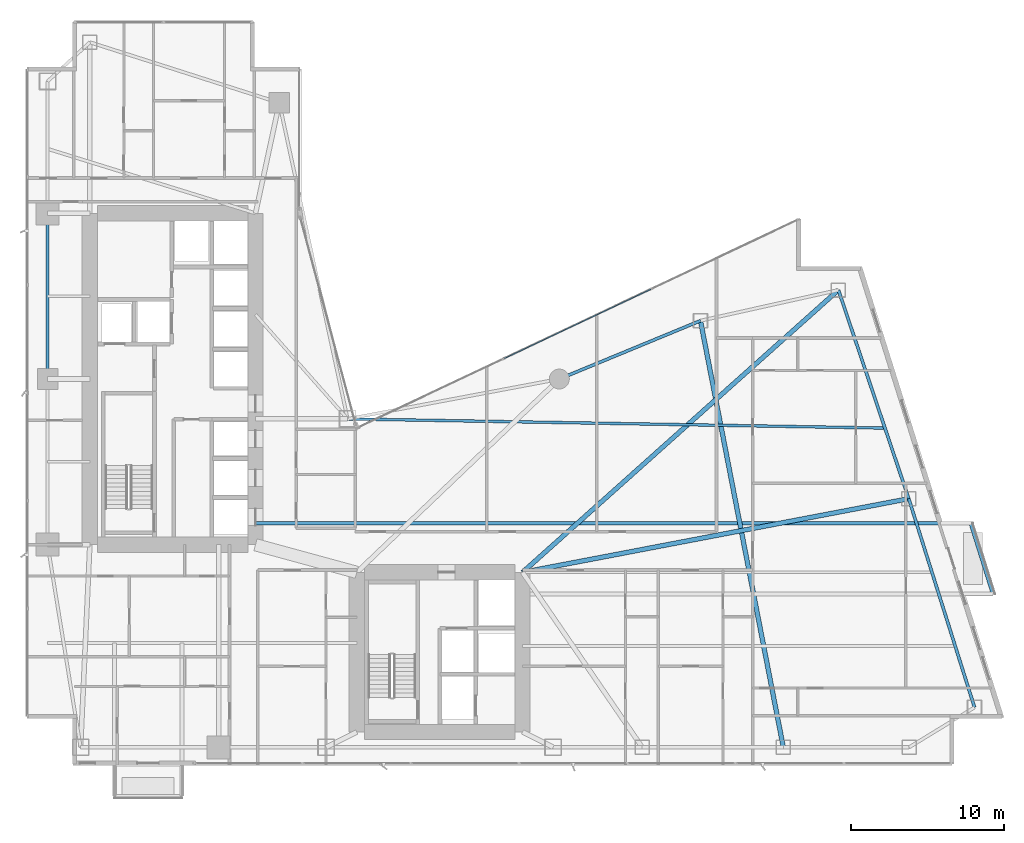
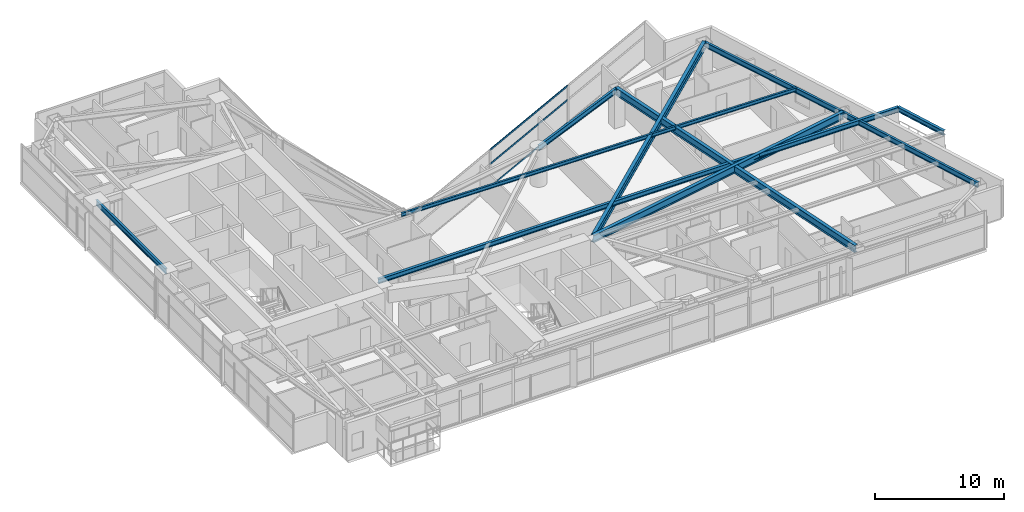
# One storey, part 15 of 29: 10 beams, 3 members, 1 element without a shape of its own.
"""IFC4 building model written with IfcOpenShell, lengths in metres."""

import ifcopenshell
import ifcopenshell.guid

model = None  # the IFC model being written
_history = None  # IfcOwnerHistory: only IFC2X3 demands one
_inside = {}  # id of a spatial element -> (the spatial element, [elements in it])
_under = {}  # id of a project, library or spatial element -> (it, [spatial elements below it])
_declared = {}  # id of a project -> (the project, [libraries it declares])
_typed = {}  # id of a type object -> (the type object, [elements of that type])
_made_of = {}  # id of a material, layer set ... -> (it, [elements and type objects made of it])


def new_model(schema):
    """Start an empty IFC model of exactly this schema.

    Asked for "IFC4X3", IfcOpenShell would pick the latest addendum, in which some entities
    have other attributes; the version numbers below select the first issue.
    IFC2X3 requires an IfcOwnerHistory on every rooted entity: one is made here for all.
    """
    global model, _history
    if schema == "IFC4X3":
        model = ifcopenshell.file(schema_version=(4, 3, 0, 0))
    else:
        model = ifcopenshell.file(schema=schema)
    _inside.clear()
    _under.clear()
    _declared.clear()
    _typed.clear()
    _made_of.clear()
    _history = None
    if model.schema == "IFC2X3":
        org = make("IfcOrganization", Name="unknown")
        user = make(
            "IfcPersonAndOrganization",
            ThePerson=make("IfcPerson", FamilyName="unknown"),
            TheOrganization=org,
        )
        app = make(
            "IfcApplication",
            ApplicationDeveloper=org,
            Version="unknown",
            ApplicationFullName="unknown",
            ApplicationIdentifier="unknown",
        )
        _history = make(
            "IfcOwnerHistory",
            OwningUser=user,
            OwningApplication=app,
            ChangeAction="ADDED",
            CreationDate=0,
        )
    return model


def make(cls, **values):
    """One entity of the class cls with the attributes given. An attribute that is None is left unset."""
    return model.create_entity(
        cls, **{name: value for name, value in values.items() if value is not None}
    )


def rooted(cls, **values):
    """An entity with a GlobalId (a new one), such as an element, a storey or a relation."""
    return make(cls, GlobalId=ifcopenshell.guid.new(), OwnerHistory=_history, **values)


def si_unit(unit_type, name, prefix=None):
    """IfcSIUnit, for example si_unit("LENGTHUNIT", "METRE", prefix="MILLI")."""
    return make("IfcSIUnit", UnitType=unit_type, Prefix=prefix, Name=name)


def assignment(units):
    """IfcUnitAssignment: the units of a project."""
    return None if units is None else make("IfcUnitAssignment", Units=units)


def point(xyz):
    """IfcCartesianPoint."""
    return None if xyz is None else make("IfcCartesianPoint", Coordinates=xyz)


def direction(xyz):
    """IfcDirection."""
    return None if xyz is None else make("IfcDirection", DirectionRatios=xyz)


def frame(location, z_axis=None, x_axis=None):
    """IfcAxis2Placement3D, a coordinate frame: its origin and axes. An axis left out is left unset."""
    return make(
        "IfcAxis2Placement3D",
        Location=point(location),
        Axis=direction(z_axis),
        RefDirection=direction(x_axis),
    )


def frame_2d(location, x_axis=None):
    """IfcAxis2Placement2D, a coordinate frame in the plane: its origin and x axis."""
    return make(
        "IfcAxis2Placement2D", Location=point(location), RefDirection=direction(x_axis)
    )


def origin():
    """The frame at (0, 0, 0) with its axes left unset."""
    return frame((0.0, 0.0, 0.0))


def origin_2d():
    """The frame at (0, 0) in the plane with its x axis left unset."""
    return frame_2d((0.0, 0.0))


def place(relative_to, where):
    """IfcLocalPlacement: puts the frame where relative to a parent placement (None: the world)."""
    return make(
        "IfcLocalPlacement", PlacementRelTo=relative_to, RelativePlacement=where
    )


def context(
    kind, dimensions, precision=None, world=None, true_north=None, identifier=None
):
    """IfcGeometricRepresentationContext, for example the 3D "Model" context."""
    return make(
        "IfcGeometricRepresentationContext",
        ContextIdentifier=identifier,
        ContextType=kind,
        CoordinateSpaceDimension=dimensions,
        Precision=precision,
        WorldCoordinateSystem=world,
        TrueNorth=true_north,
    )


def subcontext(parent, identifier, kind, view, scale=None):
    """IfcGeometricRepresentationSubContext, for example "Body" below "Model"."""
    return make(
        "IfcGeometricRepresentationSubContext",
        ContextIdentifier=identifier,
        ContextType=kind,
        ParentContext=parent,
        TargetScale=scale,
        TargetView=view,
    )


def project(units=None, contexts=None):
    """IfcProject with its units and contexts."""
    return rooted(
        "IfcProject",
        Name="project",
        RepresentationContexts=contexts,
        UnitsInContext=assignment(units),
    )


def spatial(cls, under=None, at=None, **own):
    """A site, building, storey or space (cls), placed at a placement, below another one or the project."""
    s = rooted(cls, ObjectPlacement=at, **own)
    if under is not None:
        _under.setdefault(under.id(), (under, []))[1].append(s)
    return s


def profile(cls, at=None, kind="AREA", **sizes):
    """A parametric profile (cls). Its sizes go by their IFC names, for example OverallWidth=200.0."""
    return make(cls, ProfileType=kind, Position=at, **sizes)


def hollow_rectangle(**sizes):
    """IfcRectangleHollowProfileDef."""
    return profile("IfcRectangleHollowProfileDef", **sizes)


def i_section(**sizes):
    """IfcIShapeProfileDef."""
    return profile("IfcIShapeProfileDef", **sizes)


def extrude(swept, where, along, depth):
    """IfcExtrudedAreaSolid: the profile swept, set in the frame where, extruded along a direction by depth."""
    return make(
        "IfcExtrudedAreaSolid",
        SweptArea=swept,
        Position=where,
        ExtrudedDirection=direction(along),
        Depth=depth,
    )


def shape(context_of_items, identifier, shape_type, items):
    """IfcShapeRepresentation: the items that make up one representation, for example the "Body"."""
    return make(
        "IfcShapeRepresentation",
        ContextOfItems=context_of_items,
        RepresentationIdentifier=identifier,
        RepresentationType=shape_type,
        Items=items,
    )


def material(Name=None, Category=None):
    """IfcMaterial."""
    return make("IfcMaterial", Name=Name, Category=Category)


def layer(
    of_material, thickness, ventilated=None, Name=None, Category=None, Priority=None
):
    """IfcMaterialLayer: one layer of a wall or slab, of a material (None: an air gap)."""
    return make(
        "IfcMaterialLayer",
        Material=of_material,
        LayerThickness=thickness,
        IsVentilated=ventilated,
        Name=Name,
        Category=Category,
        Priority=Priority,
    )


def layer_set(layers, Name=None):
    """IfcMaterialLayerSet."""
    return make("IfcMaterialLayerSet", MaterialLayers=layers, LayerSetName=Name)


def material_profile(
    of_material, cross_section, Name=None, Category=None, Priority=None
):
    """IfcMaterialProfile: a cross section and its material."""
    return make(
        "IfcMaterialProfile",
        Name=Name,
        Material=of_material,
        Profile=cross_section,
        Priority=Priority,
        Category=Category,
    )


def profile_set(profiles, Name=None, composite=None):
    """IfcMaterialProfileSet."""
    return make(
        "IfcMaterialProfileSet",
        Name=Name,
        MaterialProfiles=profiles,
        CompositeProfile=composite,
    )


def made_of(thing, what):
    """Note that an element or type object is made of a material, layer set ...; save() writes the relation."""
    if what is not None:
        _made_of.setdefault(what.id(), (what, []))[1].append(thing)
    return thing


def type_object(cls, material=None, **own):
    """A type object (cls), such as IfcWallType, which elements share."""
    return made_of(rooted(cls, **own), material)


def element(
    cls,
    number,
    at=None,
    inside=None,
    cuts=None,
    type_object=None,
    material=None,
    context=None,
    identifier="Body",
    shape_type=None,
    held_by="IfcProductDefinitionShape",
    body=None,
    shapes=None,
    **own,
):
    """One element of the class cls, such as IfcWall. Its Tag is "e" and its number.

    at: its placement. inside: the storey or other place that contains it. cuts: it is an
    opening in that element (IfcRelVoidsElement). A single representation is given by context,
    identifier, shape_type and body (its items); several are given by shapes. held_by: the class
    of the entity that holds the representations. save() writes the other relations.
    """
    e = rooted(cls, Tag="e%d" % number, ObjectPlacement=at, **own)
    if body is not None:
        shapes = [shape(context, identifier, shape_type, body)]
    if shapes is not None:
        e.Representation = make(held_by, Representations=shapes)
    if inside is not None:
        _inside.setdefault(inside.id(), (inside, []))[1].append(e)
    if cuts is not None:
        rooted(
            "IfcRelVoidsElement", RelatingBuildingElement=cuts, RelatedOpeningElement=e
        )
    if type_object is not None:
        _typed.setdefault(type_object.id(), (type_object, []))[1].append(e)
    return made_of(e, material)


def aggregate(whole, parts):
    """IfcRelAggregates: a whole, such as a stair, and the parts it consists of."""
    return rooted("IfcRelAggregates", RelatingObject=whole, RelatedObjects=parts)


def save(model, path):
    """Write the relations noted so far, then the file.

    IfcRelAggregates (storeys below a building ...), IfcRelContainedInSpatialStructure (elements
    in a storey), IfcRelDefinesByType, IfcRelAssociatesMaterial and IfcRelDeclares: one each for
    every whole, place, type object, material and project.
    """
    for whole, parts in _under.values():
        aggregate(whole, parts)
    for where, things in _inside.values():
        rooted(
            "IfcRelContainedInSpatialStructure",
            RelatedElements=things,
            RelatingStructure=where,
        )
    for kind, things in _typed.values():
        rooted("IfcRelDefinesByType", RelatedObjects=things, RelatingType=kind)
    for what, things in _made_of.values():
        rooted("IfcRelAssociatesMaterial", RelatedObjects=things, RelatingMaterial=what)
    for by, libraries in _declared.values():
        rooted("IfcRelDeclares", RelatingContext=by, RelatedDefinitions=libraries)
    model.write(path)


model = new_model("IFC4")

# Units and contexts
model_context = context("Model", 3, precision=1e-05, world=origin(), true_north=direction((0.0, 1.0)))
body_context = subcontext(model_context, "Body", "Model", "MODEL_VIEW")
ifc_project = project(units=[si_unit("LENGTHUNIT", "METRE"), si_unit("AREAUNIT", "SQUARE_METRE"), si_unit("VOLUMEUNIT", "CUBIC_METRE"), si_unit("PLANEANGLEUNIT", "RADIAN"), si_unit("MASSUNIT", "GRAM", prefix="KILO")], contexts=[model_context])

# Site, building, storey
site_placement = place(None, origin())
site = spatial("IfcSite", under=ifc_project, at=site_placement, CompositionType="ELEMENT")
building_placement = place(site_placement, origin())
building = spatial("IfcBuilding", under=site, at=building_placement, Name="Calvorn Quay Hotel", CompositionType="ELEMENT")
storey_placement = place(building_placement, frame((0.0, 0.0, 34.60009765625)))
storey = spatial("IfcBuildingStorey", under=building, at=storey_placement, Name="L07", CompositionType="ELEMENT", Elevation=34.60009765625)

# Beams
ifc_material_1 = material(Name="Steel Q355B", Category="steel")
ifc_material_profile_1 = material_profile(ifc_material_1, i_section(OverallWidth=0.25, OverallDepth=0.449951171875, WebThickness=0.011962890625, FlangeThickness=0.01611328125, FilletRadius=0.01611328125, at=origin_2d()), Name="HN450x250x12x16")
ifc_profile_set_1 = profile_set([ifc_material_profile_1], Name="Steel Q355B")
beam_type_1 = type_object("IfcBeamType", Name="BM-CANT-BALC", PredefinedType="BEAM", material=ifc_profile_set_1)
beam_1_placement = place(storey_placement, frame((15.0, 18.199951171875, 3.31494140625), z_axis=(1.0, 0.0, 0.0), x_axis=(0.0, 1.0, 0.0)))
element("IfcBeam", 1, at=beam_1_placement, inside=storey, type_object=beam_type_1, Name="Cantilever Balcony Beam BCB-L08-1B", PredefinedType="BEAM", context=body_context, shape_type="SweptSolid", body=[
    extrude(i_section(OverallWidth=0.25, OverallDepth=0.449951171875, WebThickness=0.011962890625, FlangeThickness=0.01611328125, FilletRadius=0.01611328125, at=origin_2d()), origin(), (0.0, 0.0, 1.0), 46.6201171875),
])
beam_2_placement = place(storey_placement, frame((63.069091796875, 13.60009765625, 3.31494140625), z_axis=(-0.300450487966, 0.953797412599, 0.0), x_axis=(-0.953797412599, -0.300450487966, 0.0)))
element("IfcBeam", 2, at=beam_2_placement, inside=storey, type_object=beam_type_1, Name="Beam BCBO-L08-1", PredefinedType="BEAM", context=body_context, shape_type="SweptSolid", body=[
    extrude(i_section(OverallWidth=0.25, OverallDepth=0.449951171875, WebThickness=0.011962890625, FlangeThickness=0.01611328125, FilletRadius=0.01611328125, at=origin_2d()), origin(), (0.0, 0.0, 1.0), 4.82275390625),
])
ifc_material_2 = material(Name="Steel Q390GJC", Category="steel")
ifc_material_profile_2 = material_profile(ifc_material_2, i_section(OverallWidth=0.300048828125, OverallDepth=0.699951171875, WebThickness=0.012939453125, FlangeThickness=0.02392578125, FilletRadius=0.02392578125, at=origin_2d()), Name="HN700x300x13x24")
ifc_profile_set_2 = profile_set([ifc_material_profile_2], Name="Steel Q390GJC")
beam_type_2 = type_object("IfcBeamType", Name="BM-GIRD-MAIN", PredefinedType="BEAM", material=ifc_profile_set_2)
beam_3_placement = place(storey_placement, frame((32.39990234375, 15.0, 3.18994140625), z_axis=(0.982305450614, 0.18728588226, 0.0), x_axis=(-0.18728588226, 0.982305450614, 0.0)))
element("IfcBeam", 3, at=beam_3_placement, inside=storey, type_object=beam_type_2, Name="Beam BG-L07-E2", PredefinedType="BEAM", context=body_context, shape_type="SweptSolid", body=[
    extrude(i_section(OverallWidth=0.300048828125, OverallDepth=0.699951171875, WebThickness=0.012939453125, FlangeThickness=0.02392578125, FilletRadius=0.02392578125, at=origin_2d()), origin(), (0.0, 0.0, 1.0), 25.629638671875),
])
beam_4_placement = place(storey_placement, frame((32.39990234375, 15.0, 3.18994140625), z_axis=(0.745667316004, 0.666318432766, 0.0), x_axis=(-0.666318432766, 0.745667316004, 0.0)))
element("IfcBeam", 4, at=beam_4_placement, inside=storey, type_object=beam_type_2, Name="Beam BG-L07-E3", PredefinedType="BEAM", context=body_context, shape_type="SweptSolid", body=[
    extrude(i_section(OverallWidth=0.300048828125, OverallDepth=0.699951171875, WebThickness=0.012939453125, FlangeThickness=0.02392578125, FilletRadius=0.02392578125, at=origin_2d()), origin(), (0.0, 0.0, 1.0), 27.6142578125),
])
beam_5_placement = place(storey_placement, frame((49.39990234375, 3.60009765625, 3.18994140625), z_axis=(-0.190678596862, 0.981652521363, 0.0), x_axis=(-0.981652521363, -0.190678596862, 0.0)))
element("IfcBeam", 5, at=beam_5_placement, inside=storey, type_object=beam_type_2, Name="Beam BG-L07-E5", PredefinedType="BEAM", context=body_context, shape_type="SweptSolid", body=[
    extrude(i_section(OverallWidth=0.300048828125, OverallDepth=0.699951171875, WebThickness=0.012939453125, FlangeThickness=0.02392578125, FilletRadius=0.02392578125, at=origin_2d()), origin(), (0.0, 0.0, 1.0), 28.3193359375),
])
ifc_material_3 = material(Name="Steel Q355B", Category="steel")
ifc_material_profile_3 = material_profile(ifc_material_3, i_section(OverallWidth=0.175048828125, OverallDepth=0.35009765625, WebThickness=0.007080078125, FlangeThickness=0.010986328125, FilletRadius=0.013916015625, at=origin_2d()), Name="HN350x175x7x11")
ifc_profile_set_3 = profile_set([ifc_material_profile_3], Name="Steel Q355B")
beam_type_3 = type_object("IfcBeamType", Name="BM-JOIST-SEC", PredefinedType="JOIST", material=ifc_profile_set_3)
beam_6_placement = place(storey_placement, frame((21.0, 25.0, 3.364990234375), z_axis=(0.999854105858, -0.017081188436, 0.0), x_axis=(0.017081188436, 0.999854105858, 0.0)))
element("IfcBeam", 6, at=beam_6_placement, inside=storey, type_object=beam_type_3, Name="Beam BJ-L07-E3", PredefinedType="JOIST", context=body_context, shape_type="SweptSolid", body=[
    extrude(i_section(OverallWidth=0.175048828125, OverallDepth=0.35009765625, WebThickness=0.007080078125, FlangeThickness=0.010986328125, FilletRadius=0.013916015625, at=origin_2d()), origin(), (0.0, 0.0, 1.0), 35.132080078125),
])
ifc_material_4 = material(Name="Steel Q355B", Category="steel")
ifc_material_profile_4 = material_profile(ifc_material_4, i_section(OverallWidth=0.199951171875, OverallDepth=0.5, WebThickness=0.010009765625, FlangeThickness=0.01611328125, FilletRadius=0.01611328125, at=origin_2d()), Name="HN500x200x10x16")
ifc_profile_set_4 = profile_set([ifc_material_profile_4], Name="Steel Q355B")
beam_type_4 = type_object("IfcBeamType", Name="BM-SPANDREL-Z1", PredefinedType="SPANDREL", material=ifc_profile_set_4)
beam_7_placement = place(storey_placement, frame((1.449951171875, 27.60009765625, 3.289794921875), z_axis=(0.0, 1.0, 0.0), x_axis=(-1.0, 0.0, 0.0)))
element("IfcBeam", 7, at=beam_7_placement, inside=storey, type_object=beam_type_4, Name="Beam BSP-L07-W3", PredefinedType="SPANDREL", context=body_context, shape_type="SweptSolid", body=[
    extrude(i_section(OverallWidth=0.199951171875, OverallDepth=0.5, WebThickness=0.010009765625, FlangeThickness=0.01611328125, FilletRadius=0.01611328125, at=origin_2d()), origin(), (0.0, 0.0, 1.0), 10.7998046875),
])
beam_8_placement = place(storey_placement, frame((61.861083984375, 6.199951171875, 3.289794921875), z_axis=(-0.300518378216, 0.953776024208, 0.0), x_axis=(-0.953776024208, -0.300518378216, 0.0)))
element("IfcBeam", 8, at=beam_8_placement, inside=storey, type_object=beam_type_4, Name="Beam BSP-L07-E1", PredefinedType="SPANDREL", context=body_context, shape_type="SweptSolid", body=[
    extrude(i_section(OverallWidth=0.199951171875, OverallDepth=0.5, WebThickness=0.010009765625, FlangeThickness=0.01611328125, FilletRadius=0.01611328125, at=origin_2d()), origin(), (0.0, 0.0, 1.0), 14.25927734375),
])
beam_9_placement = place(storey_placement, frame((57.575927734375, 19.800048828125, 3.289794921875), z_axis=(-0.319466515944, 0.947597564998, 0.0), x_axis=(-0.947597564998, -0.319466515944, 0.0)))
element("IfcBeam", 9, at=beam_9_placement, inside=storey, type_object=beam_type_4, Name="Beam BSP-L07-E2", PredefinedType="SPANDREL", context=body_context, shape_type="SweptSolid", body=[
    extrude(i_section(OverallWidth=0.199951171875, OverallDepth=0.5, WebThickness=0.010009765625, FlangeThickness=0.01611328125, FilletRadius=0.01611328125, at=origin_2d()), origin(), (0.0, 0.0, 1.0), 14.35205078125),
])
beam_10_placement = place(storey_placement, frame((44.0, 31.39990234375, 3.289794921875), z_axis=(-0.92426763497, -0.381745123017, 0.0), x_axis=(0.381745123017, -0.92426763497, 0.0)))
element("IfcBeam", 10, at=beam_10_placement, inside=storey, type_object=beam_type_4, Name="Beam BSP-L07-E4", PredefinedType="SPANDREL", context=body_context, shape_type="SweptSolid", body=[
    extrude(i_section(OverallWidth=0.199951171875, OverallDepth=0.5, WebThickness=0.010009765625, FlangeThickness=0.01611328125, FilletRadius=0.01611328125, at=origin_2d()), origin(), (0.0, 0.0, 1.0), 9.953857421875),
])

# Curtain wall, members
ifc_material_5 = material(Name="Pale Anodised Aluminium and Low-E Glass", Category="aluminium")
ifc_layer = layer(ifc_material_5, 0.219970703125)
ifc_layer_set = layer_set([ifc_layer], Name="CW-SYS-Z1")
curtain_wall_type = type_object("IfcCurtainWallType", Name="CW-SYS-Z1", PredefinedType="NOTDEFINED", material=ifc_layer_set)
curtain_wall_placement = place(storey_placement, origin())
curtain_wall = element("IfcCurtainWall", 11, at=curtain_wall_placement, inside=storey, type_object=curtain_wall_type, Name="Inner Court Curtain Wall L07-NE1", PredefinedType="NOTDEFINED")
ifc_material_6 = material(Name="Pale Anodised Aluminium 6063-T6", Category="aluminium")
ifc_material_profile_5 = material_profile(ifc_material_6, hollow_rectangle(XDim=0.06494140625, YDim=0.1650390625, WallThickness=0.00341796875, at=origin_2d()), Name="ALU-T165x65x3.5")
ifc_profile_set_5 = profile_set([ifc_material_profile_5], Name="Pale Anodised Aluminium 6063-T6")
member_type = type_object("IfcMemberType", Name="CW-SYS-Z1-TRN", PredefinedType="USERDEFINED", material=ifc_profile_set_5)
member_1_placement = place(storey_placement, frame((40.77294921875, 33.453857421875, 0.02978515625), z_axis=(-0.904247654564, -0.427008406493, 0.0), x_axis=(0.427008406493, -0.904247654564, 0.0)))
member_1 = element("IfcMember", 12, at=member_1_placement, type_object=member_type, Name="CW-L07-NE1 transom 2.1", ObjectType="TRANSOM", PredefinedType="USERDEFINED", context=body_context, shape_type="SweptSolid", body=[
    extrude(hollow_rectangle(XDim=0.06494140625, YDim=0.1650390625, WallThickness=0.00341796875, at=origin_2d()), origin(), (0.0, 0.0, 1.0), 10.556640625),
])
member_2_placement = place(storey_placement, frame((40.77294921875, 33.453857421875, 2.199951171875), z_axis=(-0.904247654564, -0.427008406493, 0.0), x_axis=(0.427008406493, -0.904247654564, 0.0)))
member_2 = element("IfcMember", 13, at=member_2_placement, type_object=member_type, Name="CW-L07-NE1 transom 2.2", ObjectType="TRANSOM", PredefinedType="USERDEFINED", context=body_context, shape_type="SweptSolid", body=[
    extrude(hollow_rectangle(XDim=0.06494140625, YDim=0.1650390625, WallThickness=0.00341796875, at=origin_2d()), origin(), (0.0, 0.0, 1.0), 10.556640625),
])
member_3_placement = place(storey_placement, frame((40.77294921875, 33.453857421875, 3.52978515625), z_axis=(-0.904247654564, -0.427008406493, 0.0), x_axis=(0.427008406493, -0.904247654564, 0.0)))
member_3 = element("IfcMember", 14, at=member_3_placement, type_object=member_type, Name="CW-L07-NE1 transom 2.3", ObjectType="TRANSOM", PredefinedType="USERDEFINED", context=body_context, shape_type="SweptSolid", body=[
    extrude(hollow_rectangle(XDim=0.06494140625, YDim=0.1650390625, WallThickness=0.00341796875, at=origin_2d()), origin(), (0.0, 0.0, 1.0), 10.556640625),
])
aggregate(curtain_wall, [member_1, member_2, member_3])

save(model, "model.ifc")
